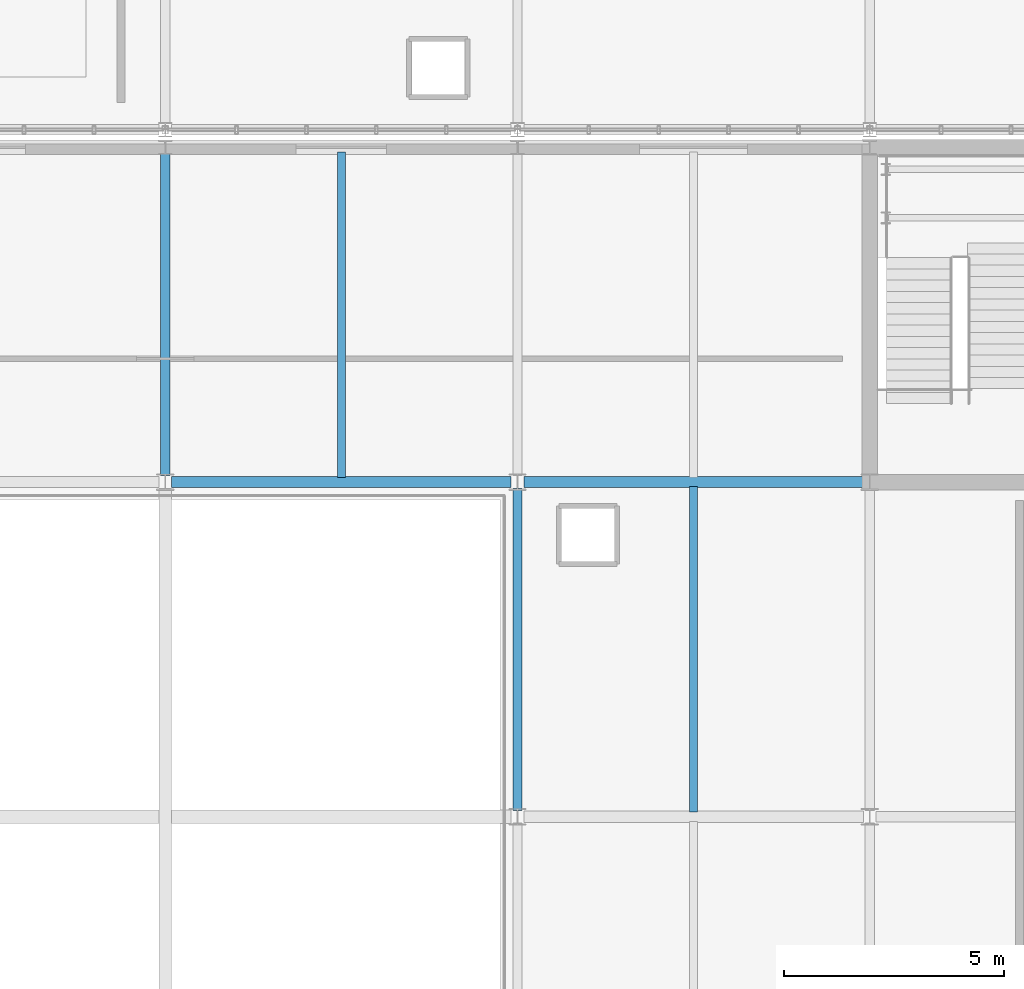
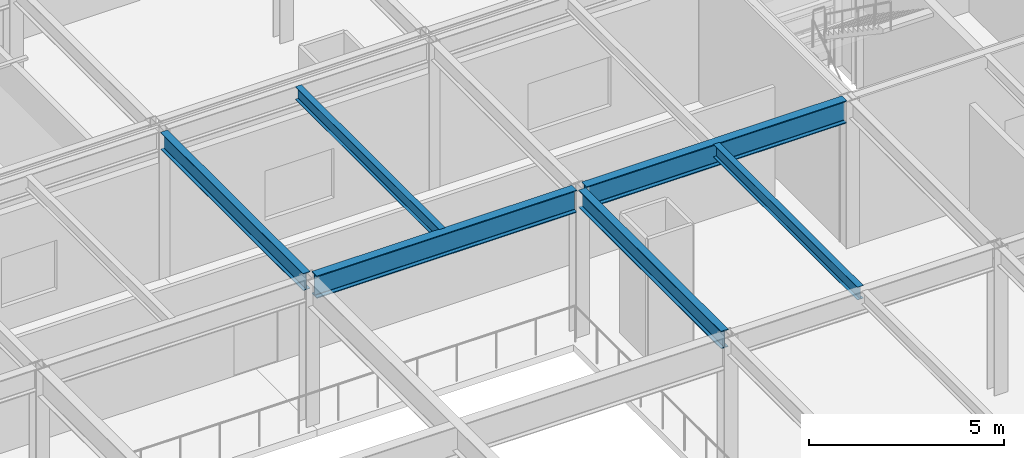
# One storey, part 64 of 104: 6 beams.
"""IFC4 building model written with IfcOpenShell, lengths in metres."""

from ifc_helpers import new_model, si_unit, direction, frame, origin, origin_2d, place, context, subcontext, project, spatial, i_section, extrude, material, material_profile, profile_set, type_object, element, save


model = new_model("IFC4")

# Units and contexts
model_context = context("Model", 3, precision=1e-05, world=origin(), true_north=direction((0.0, 1.0)))
body_context = subcontext(model_context, "Body", "Model", "MODEL_VIEW")
ifc_project = project(units=[si_unit("LENGTHUNIT", "METRE"), si_unit("AREAUNIT", "SQUARE_METRE"), si_unit("VOLUMEUNIT", "CUBIC_METRE"), si_unit("PLANEANGLEUNIT", "RADIAN"), si_unit("MASSUNIT", "GRAM", prefix="KILO")], contexts=[model_context])

# Site, building, storey
site_placement = place(None, origin())
site = spatial("IfcSite", under=ifc_project, at=site_placement, CompositionType="ELEMENT")
building_placement = place(site_placement, origin())
building = spatial("IfcBuilding", under=site, at=building_placement, Name="Zulena Civic Courthouse", CompositionType="ELEMENT")
storey_placement = place(building_placement, frame((0.0, 0.0, 10.800048828125)))
storey = spatial("IfcBuildingStorey", under=building, at=storey_placement, Name="L02", CompositionType="ELEMENT", Elevation=10.800048828125)

# Beams
ifc_material = material(Name="Steel ASTM A992 Grade 50", Category="steel")
ifc_material_profile_1 = material_profile(ifc_material, i_section(OverallWidth=0.214111328125, OverallDepth=0.549072265625, WebThickness=0.0146484375, FlangeThickness=0.023681640625, FilletRadius=0.0126953125, at=origin_2d()), Name="W21X93")
ifc_profile_set_1 = profile_set([ifc_material_profile_1], Name="Steel ASTM A992 Grade 50")
beam_type_1 = type_object("IfcBeamType", Name="Girder_W21X93", PredefinedType="BEAM", material=ifc_profile_set_1)
beam_1_placement = place(storey_placement, frame((156.0, 15.344970703125, 4.3154296875), z_axis=(0.0, 1.0, 0.0), x_axis=(-1.0, 0.0, 0.0)))
element("IfcBeam", 1, at=beam_1_placement, inside=storey, type_object=beam_type_1, Name="beam:Y:V1:L02:156.0:15.2_22.8", PredefinedType="BEAM", context=body_context, shape_type="SweptSolid", body=[
    extrude(i_section(OverallWidth=0.214111328125, OverallDepth=0.549072265625, WebThickness=0.0146484375, FlangeThickness=0.023681640625, FilletRadius=0.0126953125, at=origin_2d()), origin(), (0.0, 0.0, 1.0), 7.31005859375),
])
ifc_material_profile_2 = material_profile(ifc_material, i_section(OverallWidth=0.25390625, OverallDepth=0.701904296875, WebThickness=0.015380859375, FlangeThickness=0.02783203125, FilletRadius=0.0166015625, at=origin_2d()), Name="W27X129")
ifc_profile_set_2 = profile_set([ifc_material_profile_2], Name="Steel ASTM A992 Grade 50")
beam_type_2 = type_object("IfcBeamType", Name="Girder_W27X129", PredefinedType="BEAM", material=ifc_profile_set_2)
for number, where, z_axis, x_axis, name in (
    (2, (148.14501953125, 22.800048828125, 4.239013671875), (1.0, 0.0, 0.0), (0.0, 1.0, 0.0), "beam:X:V1:L02:22.8:148.0_156.0"),
    (3, (156.14501953125, 22.800048828125, 4.239013671875), (1.0, 0.0, 0.0), (0.0, 1.0, 0.0), "beam:X:V1:L02:22.8:156.0_164.0"),
):
    element("IfcBeam", number, at=place(storey_placement, frame(where, z_axis=z_axis, x_axis=x_axis)), inside=storey, type_object=beam_type_2, Name=name, PredefinedType="BEAM", context=body_context, shape_type="SweptSolid", body=[
        extrude(i_section(OverallWidth=0.25390625, OverallDepth=0.701904296875, WebThickness=0.015380859375, FlangeThickness=0.02783203125, FilletRadius=0.0166015625, at=origin_2d()), origin(), (0.0, 0.0, 1.0), 7.7099609375),
    ])
ifc_material_profile_3 = material_profile(ifc_material, i_section(OverallWidth=0.177978515625, OverallDepth=0.406005859375, WebThickness=0.0078125, FlangeThickness=0.0126953125, FilletRadius=0.01025390625, at=origin_2d()), Name="W16X40")
ifc_profile_set_3 = profile_set([ifc_material_profile_3], Name="Steel ASTM A992 Grade 50")
beam_type_3 = type_object("IfcBeamType", Name="Joist_W16X40", PredefinedType="JOIST", material=ifc_profile_set_3)
beam_2_placement = place(storey_placement, frame((152.0, 22.905029296875, 4.386962890625), z_axis=(0.0, 1.0, 0.0), x_axis=(-1.0, 0.0, 0.0)))
element("IfcBeam", 4, at=beam_2_placement, inside=storey, type_object=beam_type_3, Name="joist:V1:L02:152.00:22.8_30.4", PredefinedType="JOIST", context=body_context, shape_type="SweptSolid", body=[
    extrude(i_section(OverallWidth=0.177978515625, OverallDepth=0.406005859375, WebThickness=0.0078125, FlangeThickness=0.0126953125, FilletRadius=0.01025390625, at=origin_2d()), origin(), (0.0, 0.0, 1.0), 7.389892578125),
])
beam_3_placement = place(storey_placement, frame((160.0, 15.304931640625, 4.386962890625), z_axis=(0.0, 1.0, 0.0), x_axis=(-1.0, 0.0, 0.0)))
element("IfcBeam", 5, at=beam_3_placement, inside=storey, type_object=beam_type_3, Name="joist:V1:L02:160.00:15.2_22.8", PredefinedType="JOIST", context=body_context, shape_type="SweptSolid", body=[
    extrude(i_section(OverallWidth=0.177978515625, OverallDepth=0.406005859375, WebThickness=0.0078125, FlangeThickness=0.0126953125, FilletRadius=0.01025390625, at=origin_2d()), origin(), (0.0, 0.0, 1.0), 7.39013671875),
])
ifc_material_profile_4 = material_profile(ifc_material, i_section(OverallWidth=0.2099609375, OverallDepth=0.537109375, WebThickness=0.010986328125, FlangeThickness=0.017333984375, FilletRadius=0.0126953125, at=origin_2d()), Name="W21X68")
ifc_profile_set_4 = profile_set([ifc_material_profile_4], Name="Steel ASTM A992 Grade 50")
beam_type_4 = type_object("IfcBeamType", Name="Spandrel_W21X68", PredefinedType="SPANDREL", material=ifc_profile_set_4)
beam_4_placement = place(storey_placement, frame((148.0, 22.945068359375, 4.321533203125), z_axis=(0.0, 1.0, 0.0), x_axis=(-1.0, 0.0, 0.0)))
element("IfcBeam", 6, at=beam_4_placement, inside=storey, type_object=beam_type_4, Name="beam:Y:V1:L02:148.0:22.8_30.4", PredefinedType="SPANDREL", context=body_context, shape_type="SweptSolid", body=[
    extrude(i_section(OverallWidth=0.2099609375, OverallDepth=0.537109375, WebThickness=0.010986328125, FlangeThickness=0.017333984375, FilletRadius=0.0126953125, at=origin_2d()), origin(), (0.0, 0.0, 1.0), 7.309814453125),
])

save(model, "model.ifc")
